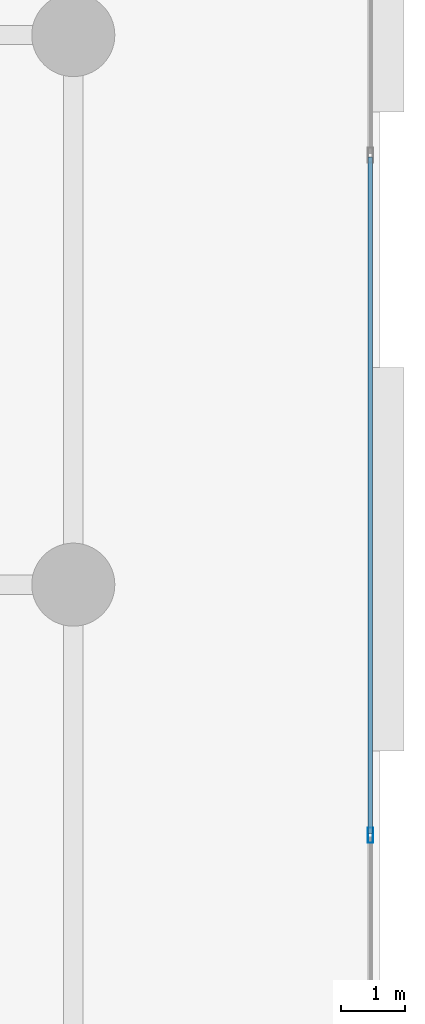
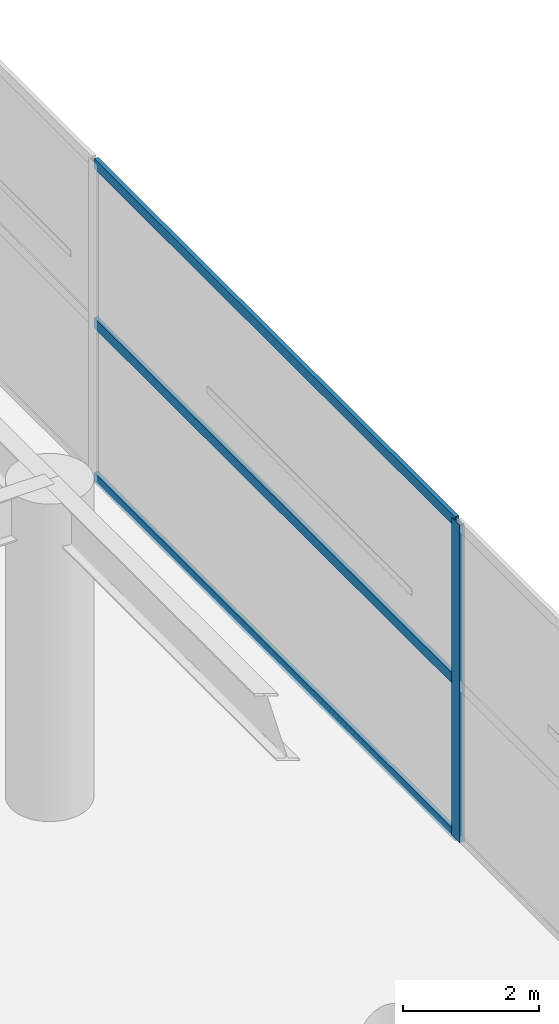
# One storey, part 6 of 20: 4 members, 1 element without a shape of its own.
"""IFC4 building model written with IfcOpenShell, lengths in metres."""

import ifcopenshell
import ifcopenshell.guid

model = None  # the IFC model being written
_history = None  # IfcOwnerHistory: only IFC2X3 demands one
_inside = {}  # id of a spatial element -> (the spatial element, [elements in it])
_under = {}  # id of a project, library or spatial element -> (it, [spatial elements below it])
_declared = {}  # id of a project -> (the project, [libraries it declares])
_typed = {}  # id of a type object -> (the type object, [elements of that type])
_made_of = {}  # id of a material, layer set ... -> (it, [elements and type objects made of it])


def new_model(schema):
    """Start an empty IFC model of exactly this schema.

    Asked for "IFC4X3", IfcOpenShell would pick the latest addendum, in which some entities
    have other attributes; the version numbers below select the first issue.
    IFC2X3 requires an IfcOwnerHistory on every rooted entity: one is made here for all.
    """
    global model, _history
    if schema == "IFC4X3":
        model = ifcopenshell.file(schema_version=(4, 3, 0, 0))
    else:
        model = ifcopenshell.file(schema=schema)
    _inside.clear()
    _under.clear()
    _declared.clear()
    _typed.clear()
    _made_of.clear()
    _history = None
    if model.schema == "IFC2X3":
        org = make("IfcOrganization", Name="unknown")
        user = make(
            "IfcPersonAndOrganization",
            ThePerson=make("IfcPerson", FamilyName="unknown"),
            TheOrganization=org,
        )
        app = make(
            "IfcApplication",
            ApplicationDeveloper=org,
            Version="unknown",
            ApplicationFullName="unknown",
            ApplicationIdentifier="unknown",
        )
        _history = make(
            "IfcOwnerHistory",
            OwningUser=user,
            OwningApplication=app,
            ChangeAction="ADDED",
            CreationDate=0,
        )
    return model


def make(cls, **values):
    """One entity of the class cls with the attributes given. An attribute that is None is left unset."""
    return model.create_entity(
        cls, **{name: value for name, value in values.items() if value is not None}
    )


def rooted(cls, **values):
    """An entity with a GlobalId (a new one), such as an element, a storey or a relation."""
    return make(cls, GlobalId=ifcopenshell.guid.new(), OwnerHistory=_history, **values)


def si_unit(unit_type, name, prefix=None):
    """IfcSIUnit, for example si_unit("LENGTHUNIT", "METRE", prefix="MILLI")."""
    return make("IfcSIUnit", UnitType=unit_type, Prefix=prefix, Name=name)


def assignment(units):
    """IfcUnitAssignment: the units of a project."""
    return None if units is None else make("IfcUnitAssignment", Units=units)


def point(xyz):
    """IfcCartesianPoint."""
    return None if xyz is None else make("IfcCartesianPoint", Coordinates=xyz)


def direction(xyz):
    """IfcDirection."""
    return None if xyz is None else make("IfcDirection", DirectionRatios=xyz)


def frame(location, z_axis=None, x_axis=None):
    """IfcAxis2Placement3D, a coordinate frame: its origin and axes. An axis left out is left unset."""
    return make(
        "IfcAxis2Placement3D",
        Location=point(location),
        Axis=direction(z_axis),
        RefDirection=direction(x_axis),
    )


def frame_2d(location, x_axis=None):
    """IfcAxis2Placement2D, a coordinate frame in the plane: its origin and x axis."""
    return make(
        "IfcAxis2Placement2D", Location=point(location), RefDirection=direction(x_axis)
    )


def origin():
    """The frame at (0, 0, 0) with its axes left unset."""
    return frame((0.0, 0.0, 0.0))


def origin_2d():
    """The frame at (0, 0) in the plane with its x axis left unset."""
    return frame_2d((0.0, 0.0))


def place(relative_to, where):
    """IfcLocalPlacement: puts the frame where relative to a parent placement (None: the world)."""
    return make(
        "IfcLocalPlacement", PlacementRelTo=relative_to, RelativePlacement=where
    )


def context(
    kind, dimensions, precision=None, world=None, true_north=None, identifier=None
):
    """IfcGeometricRepresentationContext, for example the 3D "Model" context."""
    return make(
        "IfcGeometricRepresentationContext",
        ContextIdentifier=identifier,
        ContextType=kind,
        CoordinateSpaceDimension=dimensions,
        Precision=precision,
        WorldCoordinateSystem=world,
        TrueNorth=true_north,
    )


def subcontext(parent, identifier, kind, view, scale=None):
    """IfcGeometricRepresentationSubContext, for example "Body" below "Model"."""
    return make(
        "IfcGeometricRepresentationSubContext",
        ContextIdentifier=identifier,
        ContextType=kind,
        ParentContext=parent,
        TargetScale=scale,
        TargetView=view,
    )


def project(units=None, contexts=None):
    """IfcProject with its units and contexts."""
    return rooted(
        "IfcProject",
        Name="project",
        RepresentationContexts=contexts,
        UnitsInContext=assignment(units),
    )


def spatial(cls, under=None, at=None, **own):
    """A site, building, storey or space (cls), placed at a placement, below another one or the project."""
    s = rooted(cls, ObjectPlacement=at, **own)
    if under is not None:
        _under.setdefault(under.id(), (under, []))[1].append(s)
    return s


def profile(cls, at=None, kind="AREA", **sizes):
    """A parametric profile (cls). Its sizes go by their IFC names, for example OverallWidth=200.0."""
    return make(cls, ProfileType=kind, Position=at, **sizes)


def hollow_rectangle(**sizes):
    """IfcRectangleHollowProfileDef."""
    return profile("IfcRectangleHollowProfileDef", **sizes)


def extrude(swept, where, along, depth):
    """IfcExtrudedAreaSolid: the profile swept, set in the frame where, extruded along a direction by depth."""
    return make(
        "IfcExtrudedAreaSolid",
        SweptArea=swept,
        Position=where,
        ExtrudedDirection=direction(along),
        Depth=depth,
    )


def shape(context_of_items, identifier, shape_type, items):
    """IfcShapeRepresentation: the items that make up one representation, for example the "Body"."""
    return make(
        "IfcShapeRepresentation",
        ContextOfItems=context_of_items,
        RepresentationIdentifier=identifier,
        RepresentationType=shape_type,
        Items=items,
    )


def material(Name=None, Category=None):
    """IfcMaterial."""
    return make("IfcMaterial", Name=Name, Category=Category)


def layer(
    of_material, thickness, ventilated=None, Name=None, Category=None, Priority=None
):
    """IfcMaterialLayer: one layer of a wall or slab, of a material (None: an air gap)."""
    return make(
        "IfcMaterialLayer",
        Material=of_material,
        LayerThickness=thickness,
        IsVentilated=ventilated,
        Name=Name,
        Category=Category,
        Priority=Priority,
    )


def layer_set(layers, Name=None):
    """IfcMaterialLayerSet."""
    return make("IfcMaterialLayerSet", MaterialLayers=layers, LayerSetName=Name)


def material_profile(
    of_material, cross_section, Name=None, Category=None, Priority=None
):
    """IfcMaterialProfile: a cross section and its material."""
    return make(
        "IfcMaterialProfile",
        Name=Name,
        Material=of_material,
        Profile=cross_section,
        Priority=Priority,
        Category=Category,
    )


def profile_set(profiles, Name=None, composite=None):
    """IfcMaterialProfileSet."""
    return make(
        "IfcMaterialProfileSet",
        Name=Name,
        MaterialProfiles=profiles,
        CompositeProfile=composite,
    )


def made_of(thing, what):
    """Note that an element or type object is made of a material, layer set ...; save() writes the relation."""
    if what is not None:
        _made_of.setdefault(what.id(), (what, []))[1].append(thing)
    return thing


def type_object(cls, material=None, **own):
    """A type object (cls), such as IfcWallType, which elements share."""
    return made_of(rooted(cls, **own), material)


def element(
    cls,
    number,
    at=None,
    inside=None,
    cuts=None,
    type_object=None,
    material=None,
    context=None,
    identifier="Body",
    shape_type=None,
    held_by="IfcProductDefinitionShape",
    body=None,
    shapes=None,
    **own,
):
    """One element of the class cls, such as IfcWall. Its Tag is "e" and its number.

    at: its placement. inside: the storey or other place that contains it. cuts: it is an
    opening in that element (IfcRelVoidsElement). A single representation is given by context,
    identifier, shape_type and body (its items); several are given by shapes. held_by: the class
    of the entity that holds the representations. save() writes the other relations.
    """
    e = rooted(cls, Tag="e%d" % number, ObjectPlacement=at, **own)
    if body is not None:
        shapes = [shape(context, identifier, shape_type, body)]
    if shapes is not None:
        e.Representation = make(held_by, Representations=shapes)
    if inside is not None:
        _inside.setdefault(inside.id(), (inside, []))[1].append(e)
    if cuts is not None:
        rooted(
            "IfcRelVoidsElement", RelatingBuildingElement=cuts, RelatedOpeningElement=e
        )
    if type_object is not None:
        _typed.setdefault(type_object.id(), (type_object, []))[1].append(e)
    return made_of(e, material)


def aggregate(whole, parts):
    """IfcRelAggregates: a whole, such as a stair, and the parts it consists of."""
    return rooted("IfcRelAggregates", RelatingObject=whole, RelatedObjects=parts)


def save(model, path):
    """Write the relations noted so far, then the file.

    IfcRelAggregates (storeys below a building ...), IfcRelContainedInSpatialStructure (elements
    in a storey), IfcRelDefinesByType, IfcRelAssociatesMaterial and IfcRelDeclares: one each for
    every whole, place, type object, material and project.
    """
    for whole, parts in _under.values():
        aggregate(whole, parts)
    for where, things in _inside.values():
        rooted(
            "IfcRelContainedInSpatialStructure",
            RelatedElements=things,
            RelatingStructure=where,
        )
    for kind, things in _typed.values():
        rooted("IfcRelDefinesByType", RelatedObjects=things, RelatingType=kind)
    for what, things in _made_of.values():
        rooted("IfcRelAssociatesMaterial", RelatedObjects=things, RelatingMaterial=what)
    for by, libraries in _declared.values():
        rooted("IfcRelDeclares", RelatingContext=by, RelatedDefinitions=libraries)
    model.write(path)


model = new_model("IFC4")

# Units and contexts
model_context = context("Model", 3, precision=1e-05, world=origin(), true_north=direction((0.0, 1.0)))
body_context = subcontext(model_context, "Body", "Model", "MODEL_VIEW")
ifc_project = project(units=[si_unit("LENGTHUNIT", "METRE"), si_unit("AREAUNIT", "SQUARE_METRE"), si_unit("VOLUMEUNIT", "CUBIC_METRE"), si_unit("PLANEANGLEUNIT", "RADIAN"), si_unit("MASSUNIT", "GRAM", prefix="KILO")], contexts=[model_context])

# Site, building, storey
site_placement = place(None, origin())
site = spatial("IfcSite", under=ifc_project, at=site_placement, CompositionType="ELEMENT")
building_placement = place(site_placement, origin())
building = spatial("IfcBuilding", under=site, at=building_placement, Name="Calvorn Quay Hotel", CompositionType="ELEMENT")
storey_placement = place(building_placement, origin())
storey = spatial("IfcBuildingStorey", under=building, at=storey_placement, Name="L00", CompositionType="ELEMENT", Elevation=0.0)

# Curtain wall, members
ifc_material_1 = material(Name="Pale Anodised Aluminium and Low-E Glass", Category="aluminium")
ifc_layer = layer(ifc_material_1, 0.219970703125)
ifc_layer_set = layer_set([ifc_layer], Name="CW-SYS-POD")
curtain_wall_type = type_object("IfcCurtainWallType", Name="CW-SYS-POD", PredefinedType="NOTDEFINED", material=ifc_layer_set)
curtain_wall_placement = place(storey_placement, origin())
curtain_wall = element("IfcCurtainWall", 1, at=curtain_wall_placement, inside=storey, type_object=curtain_wall_type, Name="L00 Waterfront Promenade Curtain Wall", PredefinedType="NOTDEFINED")
ifc_material_2 = material(Name="Pale Anodised Aluminium 6063-T6", Category="aluminium")
ifc_material_profile_1 = material_profile(ifc_material_2, hollow_rectangle(XDim=0.080078125, YDim=0.239990234375, WallThickness=0.0048828125, at=origin_2d()), Name="ALU-M240x80x5")
ifc_profile_set_1 = profile_set([ifc_material_profile_1], Name="Pale Anodised Aluminium 6063-T6")
member_type_1 = type_object("IfcMemberType", Name="CW-SYS-POD-MUL", PredefinedType="MULLION", material=ifc_profile_set_1)
member_1_placement = place(storey_placement, frame((83.85009765625, 23.679931640625, 0.0), z_axis=(0.0, 0.0, 1.0), x_axis=(-1.0, 0.0, 0.0)))
member_1 = element("IfcMember", 2, at=member_1_placement, type_object=member_type_1, Name="CW-L00-E1 mullion 3", PredefinedType="MULLION", context=body_context, shape_type="SweptSolid", body=[
    extrude(hollow_rectangle(XDim=0.080078125, YDim=0.239990234375, WallThickness=0.0048828125, at=origin_2d()), origin(), (0.0, 0.0, 1.0), 5.679931640625),
])
ifc_material_3 = material(Name="Pale Anodised Aluminium 6063-T6", Category="aluminium")
ifc_material_profile_2 = material_profile(ifc_material_3, hollow_rectangle(XDim=0.070068359375, YDim=0.179931640625, WallThickness=0.00390625, at=origin_2d()), Name="ALU-T180x70x4")
ifc_profile_set_2 = profile_set([ifc_material_profile_2], Name="Pale Anodised Aluminium 6063-T6")
member_type_2 = type_object("IfcMemberType", Name="CW-SYS-POD-TRN", PredefinedType="USERDEFINED", material=ifc_profile_set_2)
member_2_placement = place(storey_placement, frame((83.85009765625, 23.7099609375, 0.030029296875), z_axis=(0.0, 1.0, 0.0), x_axis=(-1.0, 0.0, 0.0)))
member_2 = element("IfcMember", 3, at=member_2_placement, type_object=member_type_2, Name="CW-L00-E1 transom 3.1", ObjectType="TRANSOM", PredefinedType="USERDEFINED", context=body_context, shape_type="SweptSolid", body=[
    extrude(hollow_rectangle(XDim=0.070068359375, YDim=0.179931640625, WallThickness=0.00390625, at=origin_2d()), origin(), (0.0, 0.0, 1.0), 10.580078125),
])
member_3_placement = place(storey_placement, frame((83.85009765625, 23.7099609375, 2.800048828125), z_axis=(0.0, 1.0, 0.0), x_axis=(-1.0, 0.0, 0.0)))
member_3 = element("IfcMember", 4, at=member_3_placement, type_object=member_type_2, Name="CW-L00-E1 transom 3.2", ObjectType="TRANSOM", PredefinedType="USERDEFINED", context=body_context, shape_type="SweptSolid", body=[
    extrude(hollow_rectangle(XDim=0.070068359375, YDim=0.179931640625, WallThickness=0.00390625, at=origin_2d()), origin(), (0.0, 0.0, 1.0), 10.580078125),
])
member_4_placement = place(storey_placement, frame((83.85009765625, 23.7099609375, 5.64990234375), z_axis=(0.0, 1.0, 0.0), x_axis=(-1.0, 0.0, 0.0)))
member_4 = element("IfcMember", 5, at=member_4_placement, type_object=member_type_2, Name="CW-L00-E1 transom 3.3", ObjectType="TRANSOM", PredefinedType="USERDEFINED", context=body_context, shape_type="SweptSolid", body=[
    extrude(hollow_rectangle(XDim=0.070068359375, YDim=0.179931640625, WallThickness=0.00390625, at=origin_2d()), origin(), (0.0, 0.0, 1.0), 10.580078125),
])
aggregate(curtain_wall, [member_1, member_2, member_3, member_4])

save(model, "model.ifc")
